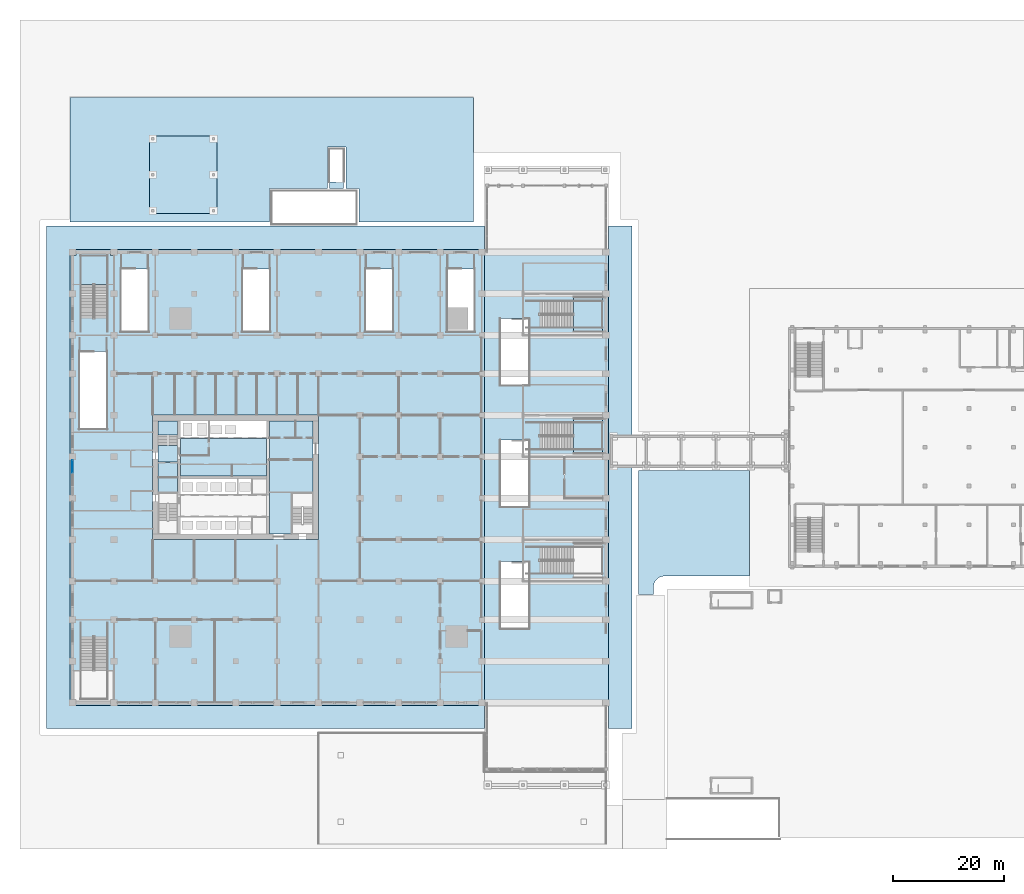
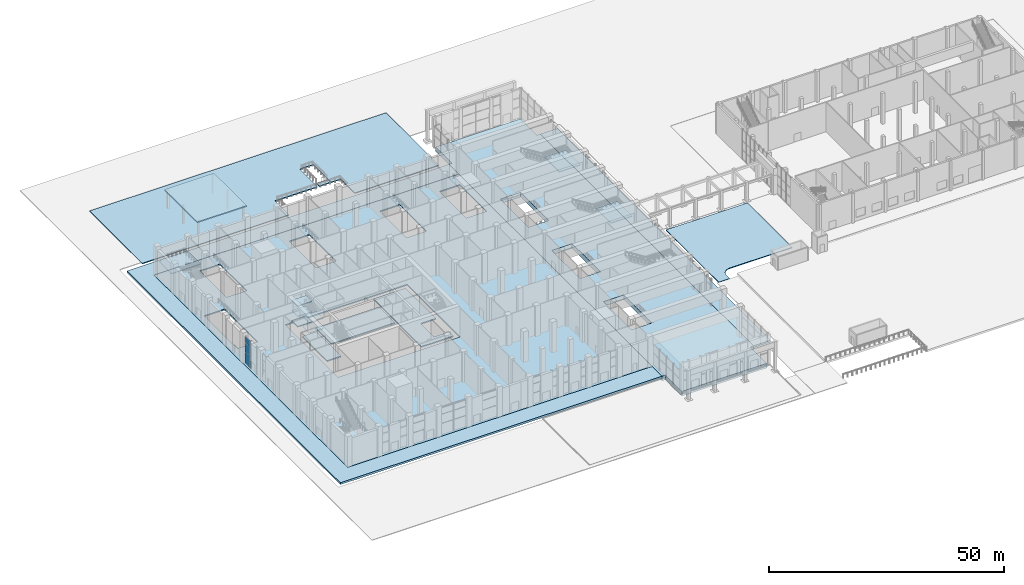
# One storey, part 20 of 57: 19 slabs, 3 plates, 6 elements without a shape of their own.
"""IFC4 building model written with IfcOpenShell, lengths in metres."""

from ifc_helpers import new_model, si_unit, direction, frame, origin, origin_2d, place, context, subcontext, project, spatial, polyline, rectangle, outline, extrude, material, layer, layer_set, type_object, element, aggregate, save


model = new_model("IFC4")

# Units and contexts
model_context = context("Model", 3, precision=1e-05, world=origin(), true_north=direction((0.0, 1.0)))
body_context = subcontext(model_context, "Body", "Model", "MODEL_VIEW")
ifc_project = project(units=[si_unit("LENGTHUNIT", "METRE"), si_unit("AREAUNIT", "SQUARE_METRE"), si_unit("VOLUMEUNIT", "CUBIC_METRE"), si_unit("PLANEANGLEUNIT", "RADIAN"), si_unit("MASSUNIT", "GRAM", prefix="KILO")], contexts=[model_context])

# Site, building, storey
site_placement = place(None, origin())
site = spatial("IfcSite", under=ifc_project, at=site_placement, CompositionType="ELEMENT")
building_placement = place(site_placement, origin())
building = spatial("IfcBuilding", under=site, at=building_placement, Name="Tamorin Gate", CompositionType="ELEMENT")
storey_placement = place(building_placement, origin())
storey = spatial("IfcBuildingStorey", under=building, at=storey_placement, Name="L00", CompositionType="ELEMENT", Elevation=0.0)

# Roof, slab
ifc_material_1 = material(Name="Concrete C40/50", Category="concrete")
roof_type = type_object("IfcRoofType", Name="Flat roof", PredefinedType="FLAT_ROOF", material=ifc_material_1)
roof_placement = place(storey_placement, origin())
roof = element("IfcRoof", 1, at=roof_placement, inside=storey, type_object=roof_type, Name="Loading canopy", PredefinedType="FLAT_ROOF")
ifc_layer_1 = layer(ifc_material_1, 0.300048828125)
ifc_layer_set_1 = layer_set([ifc_layer_1], Name="Canopy roof slab 300 C40/50")
slab_type_1 = type_object("IfcSlabType", Name="Canopy roof slab 300 C40/50", PredefinedType="ROOF", material=ifc_layer_set_1)
slab_1_placement = place(storey_placement, frame((0.0, 0.0, 4.5)))
slab_1 = element("IfcSlab", 2, at=slab_1_placement, type_object=slab_type_1, Name="Canopy roof slab", PredefinedType="ROOF", context=body_context, shape_type="SweptSolid", body=[
    extrude(outline(polyline([(41.60009765625, 119.0), (41.60009765625, 133.0), (29.39990234375, 133.0), (29.39990234375, 119.0), (41.60009765625, 119.0)])), origin(), (0.0, 0.0, 1.0), 0.300048828125),
])
aggregate(roof, [slab_1])

# Slabs
ifc_material_2 = material(Name="Concrete C60/75", Category="concrete")
ifc_layer_2 = layer(ifc_material_2, 1.199951171875)
ifc_layer_set_2 = layer_set([ifc_layer_2], Name="Concourse slab 1200 C60/75")
slab_type_2 = type_object("IfcSlabType", Name="Concourse slab 1200 C60/75", PredefinedType="FLOOR", material=ifc_layer_set_2)
slab_2_placement = place(storey_placement, frame((0.0, 0.0, -1.199951171875)))
element("IfcSlab", 3, at=slab_2_placement, inside=storey, type_object=slab_type_2, Name="Concourse L00", PredefinedType="FLOOR", context=body_context, shape_type="SweptSolid", body=[
    extrude(outline(polyline([(90.800048828125, 25.800048828125), (90.0, 25.800048828125), (90.0, 30.0), (90.0, 112.5), (90.0, 116.699951171875), (90.800048828125, 116.699951171875), (90.800048828125, 123.699951171875), (111.699951171875, 123.699951171875), (111.699951171875, 116.699951171875), (112.5, 116.699951171875), (112.5, 112.5), (112.5, 30.0), (112.5, 25.800048828125), (111.699951171875, 25.800048828125), (111.699951171875, 18.800048828125), (90.800048828125, 18.800048828125), (90.800048828125, 25.800048828125)]), holes=[polyline([(97.99951171875, 44.00048828125), (93.00048828125, 44.00048828125), (93.00048828125, 55.99951171875), (97.99951171875, 55.99951171875), (97.99951171875, 44.00048828125)]), polyline([(97.99951171875, 66.00048828125), (93.00048828125, 66.00048828125), (93.00048828125, 77.99951171875), (97.99951171875, 77.99951171875), (97.99951171875, 66.00048828125)]), polyline([(97.99951171875, 88.00048828125), (93.00048828125, 88.00048828125), (93.00048828125, 99.99951171875), (97.99951171875, 99.99951171875), (97.99951171875, 88.00048828125)])]), origin(), (0.0, 0.0, 1.0), 1.199951171875),
])
ifc_layer_3 = layer(ifc_material_1, 0.300048828125)
ifc_layer_set_3 = layer_set([ifc_layer_3], Name="Core floor slab 300 C40/50")
slab_type_3 = type_object("IfcSlabType", Name="Core floor slab 300 C40/50", PredefinedType="FLOOR", material=ifc_layer_set_3)
slab_3_placement = place(storey_placement, frame((0.0, 0.0, -0.300048828125)))
element("IfcSlab", 4, at=slab_3_placement, inside=storey, type_object=slab_type_3, Name="Core floor L00", PredefinedType="FLOOR", context=body_context, shape_type="SweptSolid", body=[
    extrude(outline(polyline([(59.0, 62.800048828125), (59.0, 61.0), (51.10009765625, 61.0), (51.10009765625, 81.5), (59.0, 81.5), (59.0, 68.5), (55.199951171875, 68.5), (55.199951171875, 62.800048828125), (59.0, 62.800048828125)])), origin(), (0.0, 0.0, 1.0), 0.300048828125),
])
slab_4_placement = place(storey_placement, frame((0.0, 0.0, -0.300048828125)))
element("IfcSlab", 5, at=slab_4_placement, inside=storey, type_object=slab_type_3, Name="Core floor L00", PredefinedType="FLOOR", context=body_context, shape_type="SweptSolid", body=[
    extrude(outline(polyline([(50.60009765625, 71.5), (35.0, 71.5), (35.0, 78.300048828125), (50.60009765625, 78.300048828125), (50.60009765625, 71.5)])), origin(), (0.0, 0.0, 1.0), 0.300048828125),
])
slab_5_placement = place(storey_placement, frame((0.0, 0.0, -0.300048828125)))
element("IfcSlab", 6, at=slab_5_placement, inside=storey, type_object=slab_type_3, Name="Core floor L00", PredefinedType="FLOOR", context=body_context, shape_type="SweptSolid", body=[
    extrude(outline(polyline([(31.0, 66.5), (31.0, 77.0), (34.5, 77.0), (34.5, 66.5), (31.0, 66.5)])), origin(), (0.0, 0.0, 1.0), 0.300048828125),
])

# Stair, slabs
stair_type_1 = type_object("IfcStairType", Name="Exit stair", PredefinedType="HALF_TURN_STAIR", material=ifc_material_1)
stair_1_placement = place(storey_placement, origin())
stair_1 = element("IfcStair", 7, at=stair_1_placement, inside=storey, type_object=stair_type_1, Name="L00 stair ST2", PredefinedType="HALF_TURN_STAIR")
ifc_layer_4 = layer(ifc_material_1, 0.199951171875)
ifc_layer_set_4 = layer_set([ifc_layer_4], Name="Exit stair landing 200")
slab_type_4 = type_object("IfcSlabType", Name="Exit stair landing 200", PredefinedType="LANDING", material=ifc_layer_set_4)
slab_6_placement = place(storey_placement, frame((0.0, 0.0, 1.13330078125)))
slab_6 = element("IfcSlab", 8, at=slab_6_placement, type_object=slab_type_4, Name="ST2 landing 1", PredefinedType="LANDING", context=body_context, shape_type="SweptSolid", body=[
    extrude(outline(polyline([(34.5, 78.9599609375), (34.5, 81.5), (31.0, 81.5), (31.0, 78.9599609375), (34.5, 78.9599609375)])), origin(), (0.0, 0.0, 1.0), 0.199951171875),
])
slab_7_placement = place(storey_placement, frame((0.0, 0.0, 2.466552734375)))
slab_7 = element("IfcSlab", 9, at=slab_7_placement, type_object=slab_type_4, Name="ST2 landing 2", PredefinedType="LANDING", context=body_context, shape_type="SweptSolid", body=[
    extrude(outline(polyline([(34.5, 74.0), (34.5, 77.0), (31.0, 77.0), (31.0, 74.0), (34.5, 74.0)])), origin(), (0.0, 0.0, 1.0), 0.2001953125),
])
slab_8_placement = place(storey_placement, frame((0.0, 0.0, 3.800048828125)))
slab_8 = element("IfcSlab", 10, at=slab_8_placement, type_object=slab_type_4, Name="ST2 landing 3", PredefinedType="LANDING", context=body_context, shape_type="SweptSolid", body=[
    extrude(outline(polyline([(34.5, 78.9599609375), (34.5, 81.5), (31.0, 81.5), (31.0, 78.9599609375), (34.5, 78.9599609375)])), origin(), (0.0, 0.0, 1.0), 0.199951171875),
])
slab_9_placement = place(storey_placement, frame((0.0, 0.0, 5.13330078125)))
slab_9 = element("IfcSlab", 11, at=slab_9_placement, type_object=slab_type_4, Name="ST2 landing 4", PredefinedType="LANDING", context=body_context, shape_type="SweptSolid", body=[
    extrude(outline(polyline([(34.5, 74.0), (34.5, 77.0), (31.0, 77.0), (31.0, 74.0), (34.5, 74.0)])), origin(), (0.0, 0.0, 1.0), 0.199951171875),
])
slab_10_placement = place(storey_placement, frame((0.0, 0.0, 6.466552734375)))
slab_10 = element("IfcSlab", 12, at=slab_10_placement, type_object=slab_type_4, Name="ST2 landing 5", PredefinedType="LANDING", context=body_context, shape_type="SweptSolid", body=[
    extrude(outline(polyline([(34.5, 78.9599609375), (34.5, 81.5), (31.0, 81.5), (31.0, 78.9599609375), (34.5, 78.9599609375)])), origin(), (0.0, 0.0, 1.0), 0.2001953125),
])
aggregate(stair_1, [slab_6, slab_7, slab_8, slab_9, slab_10])

# Slabs
ifc_material_3 = material(Name="Concrete C30/37", Category="concrete")
ifc_layer_5 = layer(ifc_material_3, 0.199951171875)
ifc_layer_set_5 = layer_set([ifc_layer_5], Name="Paving slab 200 C30/37")
slab_type_5 = type_object("IfcSlabType", Name="Paving slab 200 C30/37", PredefinedType="BASESLAB", material=ifc_layer_set_5)
slab_11_placement = place(storey_placement, frame((0.0, 0.0, -0.199951171875)))
element("IfcSlab", 13, at=slab_11_placement, inside=storey, type_object=slab_type_5, Name="Service yard paving", PredefinedType="BASESLAB", context=body_context, shape_type="SweptSolid", body=[
    extrude(outline(polyline([(88.0, 140.0), (88.0, 117.5), (67.300048828125, 117.5), (67.300048828125, 123.5), (64.949951171875, 123.5), (64.949951171875, 131.06005859375), (61.60009765625, 131.06005859375), (61.60009765625, 123.5), (51.10009765625, 123.5), (51.10009765625, 117.5), (15.0, 117.5), (15.0, 140.0), (88.0, 140.0)])), origin(), (0.0, 0.0, 1.0), 0.199951171875),
])
slab_12_placement = place(storey_placement, frame((0.0, 0.0, -0.199951171875)))
element("IfcSlab", 14, at=slab_12_placement, inside=storey, type_object=slab_type_5, Name="Site ground paving", PredefinedType="BASESLAB", context=body_context, shape_type="SweptSolid", body=[
    extrude(outline(polyline([(137.949951171875, 72.5), (137.949951171875, 53.39990234375), (122.60009765625, 53.39990234375), (122.404052734375, 53.390380859375), (122.209716796875, 53.361572265625), (122.01953125, 53.31396484375), (121.834716796875, 53.247802734375), (121.6572265625, 53.163818359375), (121.48876953125, 53.06298828125), (121.331298828125, 52.946044921875), (121.185791015625, 52.814208984375), (121.053955078125, 52.668701171875), (120.93701171875, 52.51123046875), (120.836181640625, 52.3427734375), (120.752197265625, 52.165283203125), (120.68603515625, 51.98046875), (120.638427734375, 51.790283203125), (120.609619140625, 51.595947265625), (120.60009765625, 51.39990234375), (120.60009765625, 50.050048828125), (117.89990234375, 50.050048828125), (117.89990234375, 72.5), (137.949951171875, 72.5)])), origin(), (0.0, 0.0, 1.0), 0.199951171875),
])
ifc_layer_6 = layer(ifc_material_1, 0.5)
ifc_layer_set_6 = layer_set([ifc_layer_6], Name="Plaza deck slab 500 C40/50")
slab_type_6 = type_object("IfcSlabType", Name="Plaza deck slab 500 C40/50", PredefinedType="FLOOR", material=ifc_layer_set_6)
slab_13_placement = place(storey_placement, frame((0.0, 0.0, -0.5)))
element("IfcSlab", 15, at=slab_13_placement, inside=storey, type_object=slab_type_6, Name="Plaza deck L00", PredefinedType="FLOOR", context=body_context, shape_type="SweptSolid", body=[
    extrude(outline(polyline([(112.5, 25.800048828125), (112.5, 30.0), (112.5, 112.5), (112.5, 116.699951171875), (116.699951171875, 116.699951171875), (116.699951171875, 25.800048828125), (112.5, 25.800048828125)])), origin(), (0.0, 0.0, 1.0), 0.5),
])
slab_14_placement = place(storey_placement, frame((0.0, 0.0, -0.5)))
element("IfcSlab", 16, at=slab_14_placement, inside=storey, type_object=slab_type_6, Name="Plaza deck L00", PredefinedType="FLOOR", context=body_context, shape_type="SweptSolid", body=[
    extrude(outline(polyline([(10.800048828125, 25.800048828125), (10.800048828125, 116.699951171875), (90.0, 116.699951171875), (90.0, 112.5), (15.0, 112.5), (15.0, 30.0), (90.0, 30.0), (90.0, 25.800048828125), (10.800048828125, 25.800048828125)])), origin(), (0.0, 0.0, 1.0), 0.5),
])
ifc_material_4 = material(Name="Concrete C45/55", Category="concrete")
ifc_layer_7 = layer(ifc_material_4, 0.300048828125)
ifc_layer_set_7 = layer_set([ifc_layer_7], Name="Podium slab 300 C45/55")
slab_type_7 = type_object("IfcSlabType", Name="Podium slab 300 C45/55", PredefinedType="FLOOR", material=ifc_layer_set_7)
slab_15_placement = place(storey_placement, frame((0.0, 0.0, -0.300048828125)))
element("IfcSlab", 17, at=slab_15_placement, inside=storey, type_object=slab_type_7, Name="Podium L00", PredefinedType="FLOOR", context=body_context, shape_type="SweptSolid", body=[
    extrude(outline(polyline([(15.0, 30.0), (15.0, 112.5), (90.0, 112.5), (90.0, 30.0), (15.0, 30.0)]), holes=[polyline([(60.0, 60.0), (60.0, 82.5), (30.0, 82.5), (30.0, 60.0), (60.0, 60.0)]), polyline([(16.775390625, 93.99951171875), (21.724609375, 93.99951171875), (21.724609375, 80.00048828125), (16.775390625, 80.00048828125), (16.775390625, 93.99951171875)]), polyline([(24.275390625, 108.99951171875), (29.224609375, 108.99951171875), (29.224609375, 97.6005859375), (24.275390625, 97.6005859375), (24.275390625, 108.99951171875)]), polyline([(46.275390625, 108.99951171875), (51.224609375, 108.99951171875), (51.224609375, 97.6005859375), (46.275390625, 97.6005859375), (46.275390625, 108.99951171875)]), polyline([(68.525390625, 108.99951171875), (73.474609375, 108.99951171875), (73.474609375, 97.6005859375), (68.525390625, 97.6005859375), (68.525390625, 108.99951171875)]), polyline([(83.275390625, 108.99951171875), (88.224609375, 108.99951171875), (88.224609375, 97.6005859375), (83.275390625, 97.6005859375), (83.275390625, 108.99951171875)])]), origin(), (0.0, 0.0, 1.0), 0.300048828125),
])
ifc_layer_8 = layer(ifc_material_1, 0.199951171875)
ifc_layer_set_8 = layer_set([ifc_layer_8], Name="Service court landing slab 200 C40/50")
slab_type_8 = type_object("IfcSlabType", Name="Service court landing slab 200 C40/50", PredefinedType="LANDING", material=ifc_layer_set_8)
slab_16_placement = place(storey_placement, frame((0.0, 0.0, -0.199951171875)))
element("IfcSlab", 18, at=slab_16_placement, inside=storey, type_object=slab_type_8, Name="Service court stair landing", PredefinedType="LANDING", context=body_context, shape_type="SweptSolid", body=[
    extrude(outline(polyline([(64.550048828125, 123.5), (62.0, 123.5), (62.0, 124.699951171875), (64.550048828125, 124.699951171875), (64.550048828125, 123.5)])), origin(), (0.0, 0.0, 1.0), 0.199951171875),
])

# Stair, slab
ifc_material_5 = material(Name="Reinforced concrete C32/40", Category="concrete")
stair_type_2 = type_object("IfcStairType", Name="Podium stair PS", PredefinedType="HALF_TURN_STAIR", material=ifc_material_5)
stair_2_placement = place(storey_placement, origin())
stair_2 = element("IfcStair", 19, at=stair_2_placement, inside=storey, type_object=stair_type_2, Name="L00 Podium stair PS2", PredefinedType="HALF_TURN_STAIR")
ifc_layer_9 = layer(ifc_material_5, 0.199951171875)
ifc_layer_set_9 = layer_set([ifc_layer_9], Name="Stair landing 200")
slab_type_9 = type_object("IfcSlabType", Name="Stair landing 200", PredefinedType="LANDING", material=ifc_layer_set_9)
slab_17_placement = place(storey_placement, frame((0.0, 0.0, 3.800048828125)))
slab_17 = element("IfcSlab", 20, at=slab_17_placement, type_object=slab_type_9, Name="PS2 landing 1", PredefinedType="LANDING", context=body_context, shape_type="SweptSolid", body=[
    extrude(outline(polyline([(22.89990234375, 106.159912109375), (15.64990234375, 106.159912109375), (15.64990234375, 111.39990234375), (16.10009765625, 111.39990234375), (16.10009765625, 111.85009765625), (22.39990234375, 111.85009765625), (22.39990234375, 111.39990234375), (22.89990234375, 111.39990234375), (22.89990234375, 106.159912109375)])), origin(), (0.0, 0.0, 1.0), 0.199951171875),
])
aggregate(stair_2, [slab_17])

stair_3_placement = place(storey_placement, origin())
stair_3 = element("IfcStair", 21, at=stair_3_placement, inside=storey, type_object=stair_type_2, Name="L00 Podium stair PS4", PredefinedType="HALF_TURN_STAIR")
slab_18_placement = place(storey_placement, frame((0.0, 0.0, 3.800048828125)))
slab_18 = element("IfcSlab", 22, at=slab_18_placement, type_object=slab_type_9, Name="PS4 landing 1", PredefinedType="LANDING", context=body_context, shape_type="SweptSolid", body=[
    extrude(outline(polyline([(111.39990234375, 97.60009765625), (111.39990234375, 103.89990234375), (106.159912109375, 103.89990234375), (106.159912109375, 97.60009765625), (111.39990234375, 97.60009765625)])), origin(), (0.0, 0.0, 1.0), 0.199951171875),
])
aggregate(stair_3, [slab_18])

stair_4_placement = place(storey_placement, origin())
stair_4 = element("IfcStair", 23, at=stair_4_placement, inside=storey, type_object=stair_type_2, Name="L00 Podium stair PS5", PredefinedType="HALF_TURN_STAIR")
slab_19_placement = place(storey_placement, frame((0.0, 0.0, 3.800048828125)))
slab_19 = element("IfcSlab", 24, at=slab_19_placement, type_object=slab_type_9, Name="PS5 landing 1", PredefinedType="LANDING", context=body_context, shape_type="SweptSolid", body=[
    extrude(outline(polyline([(111.39990234375, 75.60009765625), (111.39990234375, 81.89990234375), (106.159912109375, 81.89990234375), (106.159912109375, 75.60009765625), (111.39990234375, 75.60009765625)])), origin(), (0.0, 0.0, 1.0), 0.199951171875),
])
aggregate(stair_4, [slab_19])

# Curtain wall, plates
ifc_material_6 = material(Name="Aluminium and glass", Category="aluminium")
ifc_layer_10 = layer(ifc_material_6, 0.199951171875)
ifc_layer_set_10 = layer_set([ifc_layer_10], Name="Retail storefront system")
curtain_wall_type = type_object("IfcCurtainWallType", Name="Retail storefront system", PredefinedType="NOTDEFINED", material=ifc_layer_set_10)
curtain_wall_placement = place(storey_placement, origin())
curtain_wall = element("IfcCurtainWall", 25, at=curtain_wall_placement, inside=storey, type_object=curtain_wall_type, Name="Retail storefront system L00", PredefinedType="NOTDEFINED")
ifc_material_7 = material(Name="Laminated glass", Category="glass")
ifc_layer_11 = layer(ifc_material_7, 0.028076171875)
ifc_layer_set_11 = layer_set([ifc_layer_11], Name="Storefront glass 28")
plate_type = type_object("IfcPlateType", Name="Storefront glass 28", PredefinedType="CURTAIN_PANEL", material=ifc_layer_set_11)
plate_1_placement = place(storey_placement, frame((15.5, 73.22509765625, 0.06005859375), z_axis=(0.0, 0.0, 1.0), x_axis=(0.0, 1.0, 0.0)))
plate_1 = element("IfcPlate", 26, at=plate_1_placement, type_object=plate_type, Name="CWP10 panel 1.1", PredefinedType="CURTAIN_PANEL", context=body_context, shape_type="SweptSolid", body=[
    extrude(rectangle(XDim=2.22998046875, YDim=0.028076171875, at=origin_2d()), origin(), (0.0, 0.0, 1.0), 2.909912109375),
])
plate_2_placement = place(storey_placement, frame((15.5, 73.22509765625, 3.02978515625), z_axis=(0.0, 0.0, 1.0), x_axis=(0.0, 1.0, 0.0)))
plate_2 = element("IfcPlate", 27, at=plate_2_placement, type_object=plate_type, Name="CWP10 panel 1.2", PredefinedType="CURTAIN_PANEL", context=body_context, shape_type="SweptSolid", body=[
    extrude(rectangle(XDim=2.22998046875, YDim=0.028076171875, at=origin_2d()), origin(), (0.0, 0.0, 1.0), 2.340087890625),
])
plate_3_placement = place(storey_placement, frame((15.5, 73.22509765625, 5.43017578125), z_axis=(0.0, 0.0, 1.0), x_axis=(0.0, 1.0, 0.0)))
plate_3 = element("IfcPlate", 28, at=plate_3_placement, type_object=plate_type, Name="CWP10 panel 1.3", PredefinedType="CURTAIN_PANEL", context=body_context, shape_type="SweptSolid", body=[
    extrude(rectangle(XDim=2.22998046875, YDim=0.028076171875, at=origin_2d()), origin(), (0.0, 0.0, 1.0), 1.610107421875),
])
aggregate(curtain_wall, [plate_1, plate_2, plate_3])

save(model, "model.ifc")
